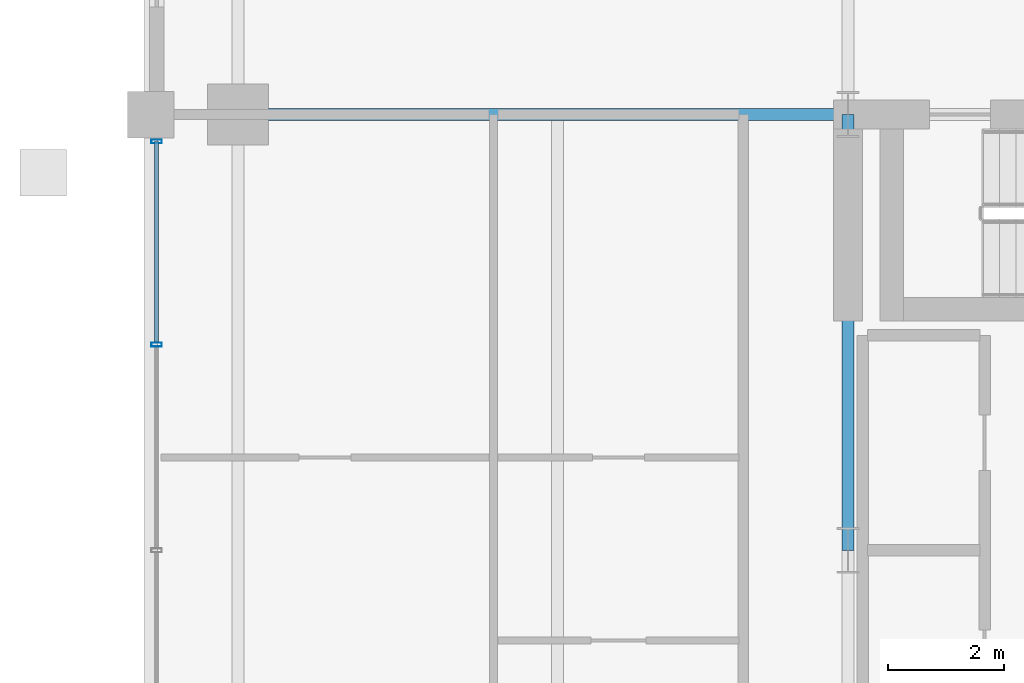
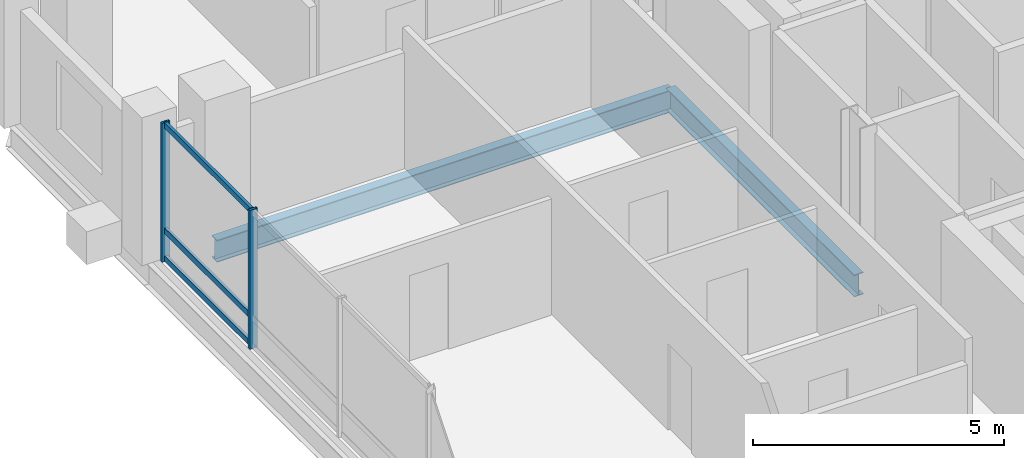
# One storey, part 8 of 24: 5 members, 2 beams, 1 element without a shape of its own.
"""IFC4 building model written with IfcOpenShell, lengths in metres."""

from ifc_helpers import new_model, si_unit, direction, frame, origin, origin_2d, place, context, subcontext, project, spatial, hollow_rectangle, i_section, extrude, material, layer, layer_set, material_profile, profile_set, type_object, element, aggregate, save


model = new_model("IFC4")

# Units and contexts
model_context = context("Model", 3, precision=1e-05, world=origin(), true_north=direction((0.0, 1.0)))
body_context = subcontext(model_context, "Body", "Model", "MODEL_VIEW")
ifc_project = project(units=[si_unit("LENGTHUNIT", "METRE"), si_unit("AREAUNIT", "SQUARE_METRE"), si_unit("VOLUMEUNIT", "CUBIC_METRE"), si_unit("PLANEANGLEUNIT", "RADIAN"), si_unit("MASSUNIT", "GRAM", prefix="KILO")], contexts=[model_context])

# Site, building, storey
site_placement = place(None, origin())
site = spatial("IfcSite", under=ifc_project, at=site_placement, CompositionType="ELEMENT")
building_placement = place(site_placement, origin())
building = spatial("IfcBuilding", under=site, at=building_placement, Name="Barlavira Tower and Art Museum", CompositionType="ELEMENT")
storey_placement = place(building_placement, frame((0.0, 0.0, 169.199951171875)))
storey = spatial("IfcBuildingStorey", under=building, at=storey_placement, Name="L43", CompositionType="ELEMENT", Elevation=169.199951171875)

# Curtain wall, members
ifc_material_1 = material(Name="Low-iron coastal laminated glass", Category="glass")
ifc_layer = layer(ifc_material_1, 0.199951171875, Name="Low-iron coastal laminated glass")
ifc_layer_set = layer_set([ifc_layer], Name="Low-iron coastal laminated glass")
curtain_wall_type = type_object("IfcCurtainWallType", Name="Pale-Metal Unitised Curtain Wall Zone 3", PredefinedType="NOTDEFINED", material=ifc_layer_set)
curtain_wall_placement = place(storey_placement, origin())
curtain_wall = element("IfcCurtainWall", 1, at=curtain_wall_placement, inside=storey, type_object=curtain_wall_type, Name="L43 Curtain Wall CW3-L43-W-B3", PredefinedType="NOTDEFINED")
ifc_material_2 = material(Name="Pale anodised aluminium", Category="aluminium")
ifc_material_profile_1 = material_profile(ifc_material_2, hollow_rectangle(XDim=0.06494140625, YDim=0.179931640625, WallThickness=0.00390625, at=origin_2d()), Name="ALU-MULL 65x180x4")
ifc_profile_set_1 = profile_set([ifc_material_profile_1], Name="Pale anodised aluminium")
member_type_1 = type_object("IfcMemberType", Name="Curtain Wall Pale-Metal Mullion 65x180", PredefinedType="MULLION", material=ifc_profile_set_1)
member_1_placement = place(storey_placement, frame((-18.39990234375, 7.034912109375, 0.0), z_axis=(0.0, 0.0, 1.0), x_axis=(0.0, -1.0, 0.0)))
member_1 = element("IfcMember", 2, at=member_1_placement, type_object=member_type_1, Name="CW3-L43-W-B3 Mullion 0", PredefinedType="MULLION", context=body_context, shape_type="SweptSolid", body=[
    extrude(hollow_rectangle(XDim=0.06494140625, YDim=0.179931640625, WallThickness=0.00390625, at=origin_2d()), origin(), (0.0, 0.0, 1.0), 3.380126953125),
])
member_2_placement = place(storey_placement, frame((-18.39990234375, 3.5400390625, 0.0), z_axis=(0.0, 0.0, 1.0), x_axis=(0.0, -1.0, 0.0)))
member_2 = element("IfcMember", 3, at=member_2_placement, type_object=member_type_1, Name="CW3-L43-W-B3 Mullion 1", PredefinedType="MULLION", context=body_context, shape_type="SweptSolid", body=[
    extrude(hollow_rectangle(XDim=0.06494140625, YDim=0.179931640625, WallThickness=0.00390625, at=origin_2d()), origin(), (0.0, 0.0, 1.0), 3.380126953125),
])
ifc_material_profile_2 = material_profile(ifc_material_2, hollow_rectangle(XDim=0.06494140625, YDim=0.139892578125, WallThickness=0.00390625, at=origin_2d()), Name="ALU-TRAN 65x140x4")
ifc_profile_set_2 = profile_set([ifc_material_profile_2], Name="Pale anodised aluminium")
member_type_2 = type_object("IfcMemberType", Name="Curtain Wall Pale-Metal Transom 65x140", PredefinedType="USERDEFINED", material=ifc_profile_set_2)
member_3_placement = place(storey_placement, frame((-18.39990234375, 7.034912109375, 0.070068359375), z_axis=(0.0, -1.0, 0.0), x_axis=(1.0, 0.0, 0.0)))
member_3 = element("IfcMember", 4, at=member_3_placement, type_object=member_type_2, Name="CW3-L43-W-B3 Transom 0.1", ObjectType="TRANSOM", PredefinedType="USERDEFINED", context=body_context, shape_type="SweptSolid", body=[
    extrude(hollow_rectangle(XDim=0.06494140625, YDim=0.139892578125, WallThickness=0.00390625, at=origin_2d()), origin(), (0.0, 0.0, 1.0), 3.449951171875),
])
member_4_placement = place(storey_placement, frame((-18.39990234375, 7.034912109375, 0.744140625), z_axis=(0.0, -1.0, 0.0), x_axis=(1.0, 0.0, 0.0)))
member_4 = element("IfcMember", 5, at=member_4_placement, type_object=member_type_2, Name="CW3-L43-W-B3 Transom 0.2", ObjectType="TRANSOM", PredefinedType="USERDEFINED", context=body_context, shape_type="SweptSolid", body=[
    extrude(hollow_rectangle(XDim=0.06494140625, YDim=0.139892578125, WallThickness=0.00390625, at=origin_2d()), origin(), (0.0, 0.0, 1.0), 3.449951171875),
])
member_5_placement = place(storey_placement, frame((-18.39990234375, 7.034912109375, 3.31005859375), z_axis=(0.0, -1.0, 0.0), x_axis=(1.0, 0.0, 0.0)))
member_5 = element("IfcMember", 6, at=member_5_placement, type_object=member_type_2, Name="CW3-L43-W-B3 Transom 0.3", ObjectType="TRANSOM", PredefinedType="USERDEFINED", context=body_context, shape_type="SweptSolid", body=[
    extrude(hollow_rectangle(XDim=0.06494140625, YDim=0.139892578125, WallThickness=0.00390625, at=origin_2d()), origin(), (0.0, 0.0, 1.0), 3.449951171875),
])
aggregate(curtain_wall, [member_1, member_2, member_3, member_4, member_5])

# Beams
ifc_material_3 = material(Name="Steel S355", Category="steel")
ifc_material_profile_3 = material_profile(ifc_material_3, i_section(OverallWidth=0.2109375, OverallDepth=0.5390625, WebThickness=0.01171875, FlangeThickness=0.018798828125, at=origin_2d()), Name="W530x109.0")
ifc_profile_set_3 = profile_set([ifc_material_profile_3], Name="Steel S355")
beam_type = type_object("IfcBeamType", Name="Zone 3-4 Primary Floor Girder W530x109 Steel S355", PredefinedType="BEAM", material=ifc_profile_set_3)
beam_1_placement = place(storey_placement, frame((-6.5, 0.0, -0.489501953125), z_axis=(0.0, 1.0, 0.0), x_axis=(-1.0, 0.0, 0.0)))
element("IfcBeam", 7, at=beam_1_placement, inside=storey, type_object=beam_type, Name="L43 Girder C-W2", PredefinedType="BEAM", context=body_context, shape_type="SweptSolid", body=[
    extrude(i_section(OverallWidth=0.2109375, OverallDepth=0.5390625, WebThickness=0.01171875, FlangeThickness=0.018798828125, at=origin_2d()), origin(), (0.0, 0.0, 1.0), 7.5),
])
beam_2_placement = place(storey_placement, frame((-17.0, 7.5, -0.489501953125), z_axis=(1.0, 0.0, 0.0), x_axis=(0.0, 1.0, 0.0)))
element("IfcBeam", 8, at=beam_2_placement, inside=storey, type_object=beam_type, Name="L43 Girder R-W2", PredefinedType="BEAM", context=body_context, shape_type="SweptSolid", body=[
    extrude(i_section(OverallWidth=0.2109375, OverallDepth=0.5390625, WebThickness=0.01171875, FlangeThickness=0.018798828125, at=origin_2d()), origin(), (0.0, 0.0, 1.0), 10.5),
])

save(model, "model.ifc")
